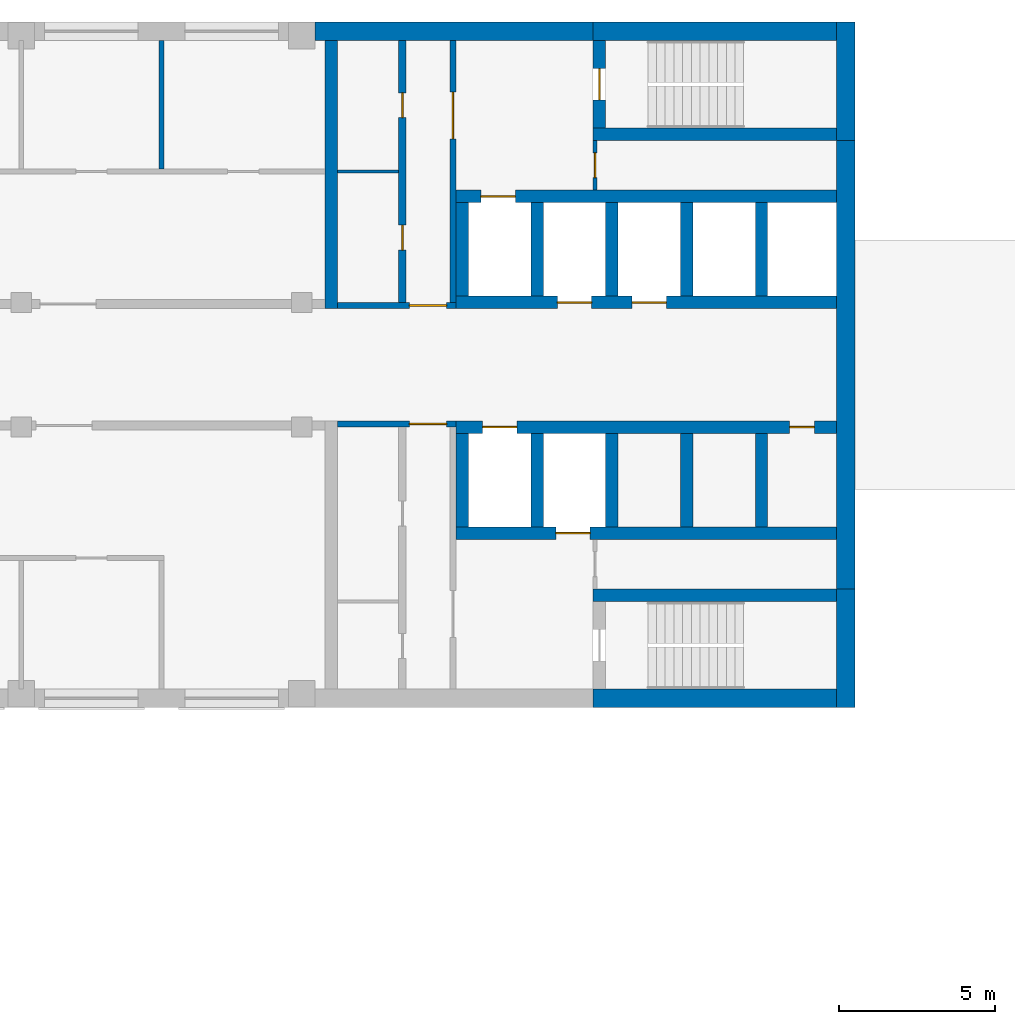
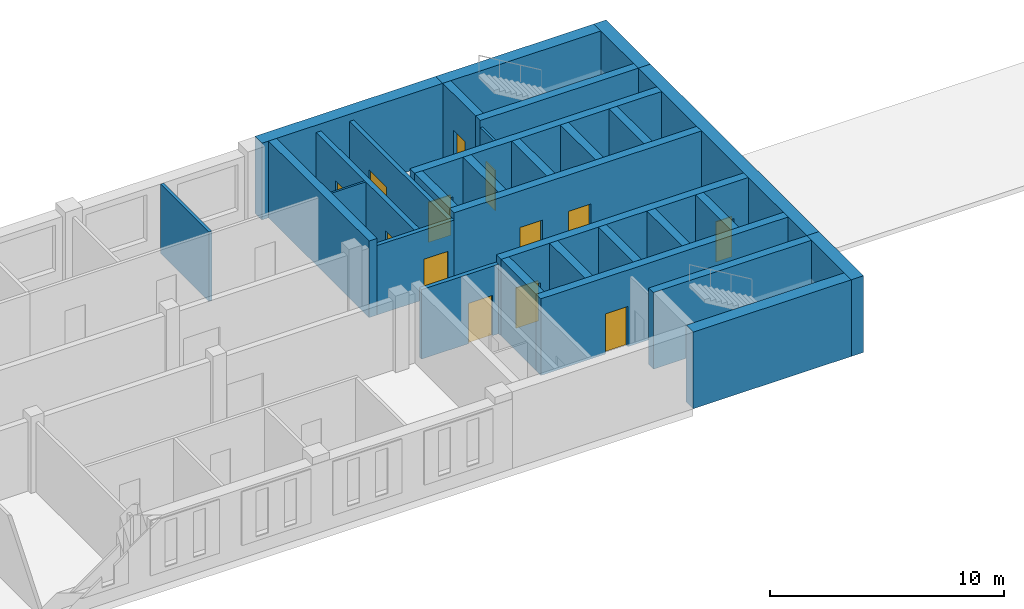
# One storey, part 6 of 8: 31 walls, 13 doors, 13 openings.
"""IFC4 building model written with IfcOpenShell, lengths in metres."""

from ifc_helpers import new_model, si_unit, direction, frame, frame_2d, origin, place, context, subcontext, project, spatial, rectangle, extrude, material, layer, layer_set, type_object, element, fill, save


model = new_model("IFC4")

# Units and contexts
model_context = context("Model", 3, precision=1e-05, world=origin(), true_north=direction((0.0, 1.0)))
body_context = subcontext(model_context, "Body", "Model", "MODEL_VIEW")
ifc_project = project(units=[si_unit("LENGTHUNIT", "METRE"), si_unit("AREAUNIT", "SQUARE_METRE"), si_unit("VOLUMEUNIT", "CUBIC_METRE"), si_unit("PLANEANGLEUNIT", "RADIAN"), si_unit("MASSUNIT", "GRAM", prefix="KILO")], contexts=[model_context])

# Site, building, storey
site_placement = place(None, origin())
site = spatial("IfcSite", under=ifc_project, at=site_placement, CompositionType="ELEMENT")
building_placement = place(site_placement, origin())
building = spatial("IfcBuilding", under=site, at=building_placement, Name="Skarvind Civic Tower", CompositionType="ELEMENT")
storey_placement = place(building_placement, frame((0.0, 0.0, 121.0)))
storey = spatial("IfcBuildingStorey", under=building, at=storey_placement, Name="L28", CompositionType="ELEMENT", Elevation=121.0)

# Wall, opening, door
ifc_material_1 = material(Name="Fire-rated masonry partition", Category="masonry")
ifc_layer_1 = layer(ifc_material_1, 0.199951171875)
ifc_layer_set_1 = layer_set([ifc_layer_1], Name="Core enclosure wall 200")
wall_type_1 = type_object("IfcWallType", Name="Core enclosure wall 200", PredefinedType="PARTITIONING", material=ifc_layer_set_1)
wall_1_placement = place(storey_placement, frame((95.199951171875, 126.10009765625, 0.0), z_axis=(0.0, 0.0, 1.0), x_axis=(-1.0, 0.0, 0.0)))
wall_1 = element("IfcWall", 1, at=wall_1_placement, inside=storey, type_object=wall_type_1, Name="Core wall C1", PredefinedType="PARTITIONING", context=body_context, shape_type="SweptSolid", body=[
    extrude(rectangle(XDim=3.800048828125, YDim=0.199951171875, at=frame_2d((1.89990234375, 0.0))), origin(), (0.0, 0.0, 1.0), 3.625),
])
opening_1_placement = place(wall_1_placement, frame((0.300048828125, 0.0, 0.0)))
opening_1 = element("IfcOpeningElement", 2, at=opening_1_placement, cuts=wall_1, Name="Opening D-L28-C1-05", PredefinedType="OPENING", context=body_context, shape_type="SweptSolid", body=[
    extrude(rectangle(XDim=1.199951171875, YDim=2.10009765625, at=frame_2d((0.60009765625, 1.050048828125))), frame((0.0, 0.10986328125, 0.0), z_axis=(0.0, -1.0, 0.0), x_axis=(1.0, 0.0, 0.0)), (0.0, 0.0, 1.0), 0.219970703125),
])
ifc_material_2 = material(Name="Fire-rated steel door", Category="steel")
door_type_1 = type_object("IfcDoorType", Name="Core lobby door 1200", OperationType="NOTDEFINED", PredefinedType="DOOR", material=ifc_material_2)
door_1_placement = place(opening_1_placement, origin())
door_1 = element("IfcDoor", 3, at=door_1_placement, inside=storey, type_object=door_type_1, Name="Fire door", OperationType="DOUBLE_DOOR_SINGLE_SWING", OverallHeight=2.10009765625, OverallWidth=1.199951171875, PredefinedType="DOOR", context=body_context, shape_type="SweptSolid", body=[
    extrude(rectangle(XDim=1.199951171875, YDim=2.10009765625, at=frame_2d((0.60009765625, 1.050048828125))), frame((0.0, 0.02490234375, 0.0), z_axis=(0.0, -1.0, 0.0), x_axis=(1.0, 0.0, 0.0)), (0.0, 0.0, 1.0), 0.050048828125),
])
fill(opening_1, door_1)

wall_2_placement = place(storey_placement, frame((91.39990234375, 129.89990234375, 0.0), z_axis=(0.0, 0.0, 1.0), x_axis=(1.0, 0.0, 0.0)))
wall_2 = element("IfcWall", 4, at=wall_2_placement, inside=storey, type_object=wall_type_1, Name="Core wall C1", PredefinedType="PARTITIONING", context=body_context, shape_type="SweptSolid", body=[
    extrude(rectangle(XDim=3.800048828125, YDim=0.199951171875, at=frame_2d((1.89990234375, 0.0))), origin(), (0.0, 0.0, 1.0), 3.625),
])
opening_2_placement = place(wall_2_placement, frame((2.300048828125, 0.0, 0.0)))
opening_2 = element("IfcOpeningElement", 5, at=opening_2_placement, cuts=wall_2, Name="Opening D-L28-C1-11", PredefinedType="OPENING", context=body_context, shape_type="SweptSolid", body=[
    extrude(rectangle(XDim=1.199951171875, YDim=2.10009765625, at=frame_2d((0.60009765625, 1.050048828125))), frame((0.0, 0.10986328125, 0.0), z_axis=(0.0, -1.0, 0.0), x_axis=(1.0, 0.0, 0.0)), (0.0, 0.0, 1.0), 0.219970703125),
])
door_2_placement = place(opening_2_placement, origin())
door_2 = element("IfcDoor", 6, at=door_2_placement, inside=storey, type_object=door_type_1, Name="Fire door", OperationType="DOUBLE_DOOR_SINGLE_SWING", OverallHeight=2.10009765625, OverallWidth=1.199951171875, PredefinedType="DOOR", context=body_context, shape_type="SweptSolid", body=[
    extrude(rectangle(XDim=1.199951171875, YDim=2.10009765625, at=frame_2d((0.60009765625, 1.050048828125))), frame((0.0, 0.02490234375, 0.0), z_axis=(0.0, -1.0, 0.0), x_axis=(1.0, 0.0, 0.0)), (0.0, 0.0, 1.0), 0.050048828125),
])
fill(opening_2, door_2)

wall_3_placement = place(storey_placement, frame((95.10009765625, 130.0, 0.0), z_axis=(0.0, 0.0, 1.0), x_axis=(0.0, 1.0, 0.0)))
wall_3 = element("IfcWall", 7, at=wall_3_placement, inside=storey, type_object=wall_type_1, Name="Core wall C1", PredefinedType="PARTITIONING", context=body_context, shape_type="SweptSolid", body=[
    extrude(rectangle(XDim=8.39990234375, YDim=0.199951171875, at=frame_2d((4.199951171875, 0.0))), origin(), (0.0, 0.0, 1.0), 3.625),
])
opening_3_placement = place(wall_3_placement, frame((5.25, 0.0, 0.0)))
opening_3 = element("IfcOpeningElement", 8, at=opening_3_placement, cuts=wall_3, Name="Opening D-L28-C1-12", PredefinedType="OPENING", context=body_context, shape_type="SweptSolid", body=[
    extrude(rectangle(XDim=1.5, YDim=2.10009765625, at=frame_2d((0.75, 1.050048828125))), frame((0.0, 0.10986328125, 0.0), z_axis=(0.0, -1.0, 0.0), x_axis=(1.0, 0.0, 0.0)), (0.0, 0.0, 1.0), 0.219970703125),
])
door_type_2 = type_object("IfcDoorType", Name="Fire door 1500", OperationType="NOTDEFINED", PredefinedType="DOOR", material=ifc_material_2)
door_3_placement = place(opening_3_placement, origin())
door_3 = element("IfcDoor", 9, at=door_3_placement, inside=storey, type_object=door_type_2, Name="Fire door", OperationType="DOUBLE_DOOR_SINGLE_SWING", OverallHeight=2.10009765625, OverallWidth=1.5, PredefinedType="DOOR", context=body_context, shape_type="SweptSolid", body=[
    extrude(rectangle(XDim=1.5, YDim=2.10009765625, at=frame_2d((0.75, 1.050048828125))), frame((0.0, 0.02490234375, 0.0), z_axis=(0.0, -1.0, 0.0), x_axis=(1.0, 0.0, 0.0)), (0.0, 0.0, 1.0), 0.050048828125),
])
fill(opening_3, door_3)

# Walls
ifc_material_3 = material(Name="Fire-rated plasterboard partition")
ifc_layer_2 = layer(ifc_material_3, 0.10009765625)
ifc_layer_set_2 = layer_set([ifc_layer_2], Name="Core partition wall 100")
wall_type_2 = type_object("IfcWallType", Name="Core partition wall 100", PredefinedType="PARTITIONING", material=ifc_layer_set_2)
wall_4_placement = place(storey_placement, frame((91.39990234375, 134.199951171875, 0.0), z_axis=(0.0, 0.0, 1.0), x_axis=(1.0, 0.0, 0.0)))
element("IfcWall", 10, at=wall_4_placement, inside=storey, type_object=wall_type_2, Name="Core wall C1", PredefinedType="PARTITIONING", context=body_context, shape_type="SweptSolid", body=[
    extrude(rectangle(XDim=1.9501953125, YDim=0.10009765625, at=frame_2d((0.97509765625, 0.0))), origin(), (0.0, 0.0, 1.0), 3.625),
])
ifc_material_4 = material(Name="Concrete C80", Category="concrete")
ifc_layer_3 = layer(ifc_material_4, 0.39990234375)
ifc_layer_set_3 = layer_set([ifc_layer_3], Name="Core wall 400 C80")
wall_type_3 = type_object("IfcWallType", Name="Core wall 400 C80", PredefinedType="SHEAR", material=ifc_layer_set_3)
wall_5_placement = place(storey_placement, frame((107.39990234375, 135.39990234375, 0.0), z_axis=(0.0, 0.0, 1.0), x_axis=(-1.0, 0.0, 0.0)))
element("IfcWall", 11, at=wall_5_placement, inside=storey, type_object=wall_type_3, Name="Core wall C1 south stair inner L28", PredefinedType="SHEAR", context=body_context, shape_type="SweptSolid", body=[
    extrude(rectangle(XDim=7.7998046875, YDim=0.39990234375, at=frame_2d((3.89990234375, 0.0))), origin(), (0.0, 0.0, 1.0), 4.0),
])

# Wall, opening, door
wall_6_placement = place(storey_placement, frame((99.800048828125, 138.39990234375, 0.0), z_axis=(0.0, 0.0, 1.0), x_axis=(0.0, -1.0, 0.0)))
wall_6 = element("IfcWall", 12, at=wall_6_placement, inside=storey, type_object=wall_type_3, Name="Core wall C1 south stair end L28", PredefinedType="SHEAR", context=body_context, shape_type="SweptSolid", body=[
    extrude(rectangle(XDim=2.7998046875, YDim=0.39990234375, at=frame_2d((1.39990234375, 0.0))), origin(), (0.0, 0.0, 1.0), 4.0),
])
opening_4_placement = place(wall_6_placement, frame((0.89990234375, 0.0, 0.0)))
opening_4 = element("IfcOpeningElement", 13, at=opening_4_placement, cuts=wall_6, Name="Opening D-L28-C1-13", PredefinedType="OPENING", context=body_context, shape_type="SweptSolid", body=[
    extrude(rectangle(XDim=1.0, YDim=2.10009765625, at=frame_2d((0.5, 1.050048828125))), frame((0.0, 0.2099609375, 0.0), z_axis=(0.0, -1.0, 0.0), x_axis=(1.0, 0.0, 0.0)), (0.0, 0.0, 1.0), 0.419921875),
])
door_type_3 = type_object("IfcDoorType", Name="Fire door 1000", OperationType="NOTDEFINED", PredefinedType="DOOR", material=ifc_material_2)
door_4_placement = place(opening_4_placement, origin())
door_4 = element("IfcDoor", 14, at=door_4_placement, inside=storey, type_object=door_type_3, Name="Fire door", OperationType="SINGLE_SWING_RIGHT", OverallHeight=2.10009765625, OverallWidth=1.0, PredefinedType="DOOR", context=body_context, shape_type="SweptSolid", body=[
    extrude(rectangle(XDim=1.0, YDim=2.10009765625, at=frame_2d((0.5, 1.050048828125))), frame((0.0, 0.02490234375, 0.0), z_axis=(0.0, -1.0, 0.0), x_axis=(1.0, 0.0, 0.0)), (0.0, 0.0, 1.0), 0.050048828125),
])
fill(opening_4, door_4)

# Wall
wall_7_placement = place(storey_placement, frame((107.39990234375, 120.60009765625, 0.0), z_axis=(0.0, 0.0, 1.0), x_axis=(-1.0, 0.0, 0.0)))
element("IfcWall", 15, at=wall_7_placement, inside=storey, type_object=wall_type_3, Name="Core wall C1 north stair inner L28", PredefinedType="SHEAR", context=body_context, shape_type="SweptSolid", body=[
    extrude(rectangle(XDim=7.7998046875, YDim=0.39990234375, at=frame_2d((3.89990234375, 0.0))), origin(), (0.0, 0.0, 1.0), 4.0),
])

# Wall, openings, doors
wall_8_placement = place(storey_placement, frame((107.39990234375, 130.0, 0.0), z_axis=(0.0, 0.0, 1.0), x_axis=(-1.0, 0.0, 0.0)))
wall_8 = element("IfcWall", 16, at=wall_8_placement, inside=storey, type_object=wall_type_3, Name="Core wall C1 south lift row front L28", PredefinedType="SHEAR", context=body_context, shape_type="SweptSolid", body=[
    extrude(rectangle(XDim=12.199951171875, YDim=0.39990234375, at=frame_2d((6.10009765625, 0.0))), origin(), (0.0, 0.0, 1.0), 4.0),
])
opening_5_placement = place(wall_8_placement, frame((5.449951171875, 0.0, 0.0)))
opening_5 = element("IfcOpeningElement", 17, at=opening_5_placement, cuts=wall_8, Name="Opening LD30108", PredefinedType="OPENING", context=body_context, shape_type="SweptSolid", body=[
    extrude(rectangle(XDim=1.10009765625, YDim=2.10009765625, at=frame_2d((0.550048828125, 1.050048828125))), frame((0.0, 0.2099609375, 0.0), z_axis=(0.0, -1.0, 0.0), x_axis=(1.0, 0.0, 0.0)), (0.0, 0.0, 1.0), 0.419921875),
])
opening_6_placement = place(wall_8_placement, frame((7.85009765625, 0.0, 0.0)))
opening_6 = element("IfcOpeningElement", 18, at=opening_6_placement, cuts=wall_8, Name="Opening LD30109", PredefinedType="OPENING", context=body_context, shape_type="SweptSolid", body=[
    extrude(rectangle(XDim=1.10009765625, YDim=2.10009765625, at=frame_2d((0.550048828125, 1.050048828125))), frame((0.0, 0.2099609375, 0.0), z_axis=(0.0, -1.0, 0.0), x_axis=(1.0, 0.0, 0.0)), (0.0, 0.0, 1.0), 0.419921875),
])
ifc_material_5 = material(Name="Stainless steel landing door", Category="steel")
door_type_4 = type_object("IfcDoorType", Name="Lift landing door 1100", OperationType="DOUBLE_DOOR_SLIDING", PredefinedType="DOOR", material=ifc_material_5)
door_5_placement = place(opening_5_placement, origin())
door_5 = element("IfcDoor", 19, at=door_5_placement, inside=storey, type_object=door_type_4, Name="Lift landing door", OperationType="DOUBLE_DOOR_SLIDING", OverallHeight=2.10009765625, OverallWidth=1.10009765625, PredefinedType="DOOR", context=body_context, shape_type="SweptSolid", body=[
    extrude(rectangle(XDim=1.10009765625, YDim=2.10009765625, at=frame_2d((0.550048828125, 1.050048828125))), frame((0.0, 0.02490234375, 0.0), z_axis=(0.0, -1.0, 0.0), x_axis=(1.0, 0.0, 0.0)), (0.0, 0.0, 1.0), 0.050048828125),
])
fill(opening_5, door_5)
door_6_placement = place(opening_6_placement, origin())
door_6 = element("IfcDoor", 20, at=door_6_placement, inside=storey, type_object=door_type_4, Name="Lift landing door", OperationType="DOUBLE_DOOR_SLIDING", OverallHeight=2.10009765625, OverallWidth=1.10009765625, PredefinedType="DOOR", context=body_context, shape_type="SweptSolid", body=[
    extrude(rectangle(XDim=1.10009765625, YDim=2.10009765625, at=frame_2d((0.550048828125, 1.050048828125))), frame((0.0, 0.02490234375, 0.0), z_axis=(0.0, -1.0, 0.0), x_axis=(1.0, 0.0, 0.0)), (0.0, 0.0, 1.0), 0.050048828125),
])
fill(opening_6, door_6)

# Wall, opening, door
wall_9_placement = place(storey_placement, frame((107.39990234375, 133.39990234375, 0.0), z_axis=(0.0, 0.0, 1.0), x_axis=(-1.0, 0.0, 0.0)))
wall_9 = element("IfcWall", 21, at=wall_9_placement, inside=storey, type_object=wall_type_3, Name="Core wall C1 south lift row back L28", PredefinedType="SHEAR", context=body_context, shape_type="SweptSolid", body=[
    extrude(rectangle(XDim=12.199951171875, YDim=0.39990234375, at=frame_2d((6.10009765625, 0.0))), origin(), (0.0, 0.0, 1.0), 4.0),
])
opening_7_placement = place(wall_9_placement, frame((10.300048828125, 0.0, 0.0)))
opening_7 = element("IfcOpeningElement", 22, at=opening_7_placement, cuts=wall_9, Name="Opening LD30110", PredefinedType="OPENING", context=body_context, shape_type="SweptSolid", body=[
    extrude(rectangle(XDim=1.10009765625, YDim=2.10009765625, at=frame_2d((0.550048828125, 1.050048828125))), frame((0.0, 0.2099609375, 0.0), z_axis=(0.0, -1.0, 0.0), x_axis=(1.0, 0.0, 0.0)), (0.0, 0.0, 1.0), 0.419921875),
])
door_7_placement = place(opening_7_placement, origin())
door_7 = element("IfcDoor", 23, at=door_7_placement, inside=storey, type_object=door_type_4, Name="Lift landing door", OperationType="DOUBLE_DOOR_SLIDING", OverallHeight=2.10009765625, OverallWidth=1.10009765625, PredefinedType="DOOR", context=body_context, shape_type="SweptSolid", body=[
    extrude(rectangle(XDim=1.10009765625, YDim=2.10009765625, at=frame_2d((0.550048828125, 1.050048828125))), frame((0.0, 0.02490234375, 0.0), z_axis=(0.0, -1.0, 0.0), x_axis=(1.0, 0.0, 0.0)), (0.0, 0.0, 1.0), 0.050048828125),
])
fill(opening_7, door_7)

# Walls
for number, where, z_axis, x_axis, name in (
    (24, (105.0, 133.199951171875, 0.0), (0.0, 0.0, 1.0), (0.0, -1.0, 0.0), "Core wall C1 south lift row division 1 L28"),
    (25, (102.60009765625, 133.199951171875, 0.0), (0.0, 0.0, 1.0), (0.0, -1.0, 0.0), "Core wall C1 south lift row division 2 L28"),
    (26, (100.199951171875, 133.199951171875, 0.0), (0.0, 0.0, 1.0), (0.0, -1.0, 0.0), "Core wall C1 south lift row division 3 L28"),
    (27, (97.800048828125, 133.199951171875, 0.0), (0.0, 0.0, 1.0), (0.0, -1.0, 0.0), "Core wall C1 south lift row division 4 L28"),
    (28, (95.39990234375, 133.199951171875, 0.0), (0.0, 0.0, 1.0), (0.0, -1.0, 0.0), "Core wall C1 south lift row division 5 L28"),
):
    element("IfcWall", number, at=place(storey_placement, frame(where, z_axis=z_axis, x_axis=x_axis)), inside=storey, type_object=wall_type_3, Name=name, PredefinedType="SHEAR", context=body_context, shape_type="SweptSolid", body=[
        extrude(rectangle(XDim=3.0, YDim=0.39990234375, at=frame_2d((1.5, 0.0))), origin(), (0.0, 0.0, 1.0), 4.0),
    ])

# Wall, openings, doors
wall_10_placement = place(storey_placement, frame((107.39990234375, 126.0, 0.0), z_axis=(0.0, 0.0, 1.0), x_axis=(-1.0, 0.0, 0.0)))
wall_10 = element("IfcWall", 29, at=wall_10_placement, inside=storey, type_object=wall_type_3, Name="Core wall C1 north lift row front L28", PredefinedType="SHEAR", context=body_context, shape_type="SweptSolid", body=[
    extrude(rectangle(XDim=12.199951171875, YDim=0.39990234375, at=frame_2d((6.10009765625, 0.0))), origin(), (0.0, 0.0, 1.0), 4.0),
])
opening_8_placement = place(wall_10_placement, frame((10.25, 0.0, 0.0)))
opening_8 = element("IfcOpeningElement", 30, at=opening_8_placement, cuts=wall_10, Name="Opening LD30105", PredefinedType="OPENING", context=body_context, shape_type="SweptSolid", body=[
    extrude(rectangle(XDim=1.10009765625, YDim=2.10009765625, at=frame_2d((0.550048828125, 1.050048828125))), frame((0.0, 0.2099609375, 0.0), z_axis=(0.0, -1.0, 0.0), x_axis=(1.0, 0.0, 0.0)), (0.0, 0.0, 1.0), 0.419921875),
])
opening_9_placement = place(wall_10_placement, frame((0.699951171875, 0.0, 0.0)))
opening_9 = element("IfcOpeningElement", 31, at=opening_9_placement, cuts=wall_10, Name="Opening D-L28-C1-04", PredefinedType="OPENING", context=body_context, shape_type="SweptSolid", body=[
    extrude(rectangle(XDim=0.800048828125, YDim=2.10009765625, at=frame_2d((0.39990234375, 1.050048828125))), frame((0.0, 0.2099609375, 0.0), z_axis=(0.0, -1.0, 0.0), x_axis=(1.0, 0.0, 0.0)), (0.0, 0.0, 1.0), 0.419921875),
])
door_type_5 = type_object("IfcDoorType", Name="Core riser door 800", OperationType="NOTDEFINED", PredefinedType="DOOR", material=ifc_material_2)
door_8_placement = place(opening_9_placement, origin())
door_8 = element("IfcDoor", 32, at=door_8_placement, inside=storey, type_object=door_type_5, Name="Riser door", OperationType="SINGLE_SWING_LEFT", OverallHeight=2.10009765625, OverallWidth=0.800048828125, PredefinedType="DOOR", context=body_context, shape_type="SweptSolid", body=[
    extrude(rectangle(XDim=0.800048828125, YDim=2.10009765625, at=frame_2d((0.39990234375, 1.050048828125))), frame((0.0, 0.02490234375, 0.0), z_axis=(0.0, -1.0, 0.0), x_axis=(1.0, 0.0, 0.0)), (0.0, 0.0, 1.0), 0.050048828125),
])
fill(opening_9, door_8)
door_9_placement = place(opening_8_placement, origin())
door_9 = element("IfcDoor", 33, at=door_9_placement, inside=storey, type_object=door_type_4, Name="Lift landing door", OperationType="DOUBLE_DOOR_SLIDING", OverallHeight=2.10009765625, OverallWidth=1.10009765625, PredefinedType="DOOR", context=body_context, shape_type="SweptSolid", body=[
    extrude(rectangle(XDim=1.10009765625, YDim=2.10009765625, at=frame_2d((0.550048828125, 1.050048828125))), frame((0.0, 0.02490234375, 0.0), z_axis=(0.0, -1.0, 0.0), x_axis=(1.0, 0.0, 0.0)), (0.0, 0.0, 1.0), 0.050048828125),
])
fill(opening_8, door_9)

# Wall, opening, door
wall_11_placement = place(storey_placement, frame((107.39990234375, 122.60009765625, 0.0), z_axis=(0.0, 0.0, 1.0), x_axis=(-1.0, 0.0, 0.0)))
wall_11 = element("IfcWall", 34, at=wall_11_placement, inside=storey, type_object=wall_type_3, Name="Core wall C1 north lift row back L28", PredefinedType="SHEAR", context=body_context, shape_type="SweptSolid", body=[
    extrude(rectangle(XDim=12.199951171875, YDim=0.39990234375, at=frame_2d((6.10009765625, 0.0))), origin(), (0.0, 0.0, 1.0), 4.0),
])
opening_10_placement = place(wall_11_placement, frame((7.89990234375, 0.0, 0.0)))
opening_10 = element("IfcOpeningElement", 35, at=opening_10_placement, cuts=wall_11, Name="Opening LD30104", PredefinedType="OPENING", context=body_context, shape_type="SweptSolid", body=[
    extrude(rectangle(XDim=1.10009765625, YDim=2.10009765625, at=frame_2d((0.550048828125, 1.050048828125))), frame((0.0, 0.2099609375, 0.0), z_axis=(0.0, -1.0, 0.0), x_axis=(1.0, 0.0, 0.0)), (0.0, 0.0, 1.0), 0.419921875),
])
door_10_placement = place(opening_10_placement, origin())
door_10 = element("IfcDoor", 36, at=door_10_placement, inside=storey, type_object=door_type_4, Name="Lift landing door", OperationType="DOUBLE_DOOR_SLIDING", OverallHeight=2.10009765625, OverallWidth=1.10009765625, PredefinedType="DOOR", context=body_context, shape_type="SweptSolid", body=[
    extrude(rectangle(XDim=1.10009765625, YDim=2.10009765625, at=frame_2d((0.550048828125, 1.050048828125))), frame((0.0, 0.02490234375, 0.0), z_axis=(0.0, -1.0, 0.0), x_axis=(1.0, 0.0, 0.0)), (0.0, 0.0, 1.0), 0.050048828125),
])
fill(opening_10, door_10)

# Walls
for number, where, z_axis, x_axis, name in (
    (37, (105.0, 125.800048828125, 0.0), (0.0, 0.0, 1.0), (0.0, -1.0, 0.0), "Core wall C1 north lift row division 1 L28"),
    (38, (102.60009765625, 125.800048828125, 0.0), (0.0, 0.0, 1.0), (0.0, -1.0, 0.0), "Core wall C1 north lift row division 2 L28"),
    (39, (100.199951171875, 125.800048828125, 0.0), (0.0, 0.0, 1.0), (0.0, -1.0, 0.0), "Core wall C1 north lift row division 3 L28"),
    (40, (97.800048828125, 125.800048828125, 0.0), (0.0, 0.0, 1.0), (0.0, -1.0, 0.0), "Core wall C1 north lift row division 4 L28"),
    (41, (95.39990234375, 125.800048828125, 0.0), (0.0, 0.0, 1.0), (0.0, -1.0, 0.0), "Core wall C1 north lift row division 5 L28"),
):
    element("IfcWall", number, at=place(storey_placement, frame(where, z_axis=z_axis, x_axis=x_axis)), inside=storey, type_object=wall_type_3, Name=name, PredefinedType="SHEAR", context=body_context, shape_type="SweptSolid", body=[
        extrude(rectangle(XDim=3.0, YDim=0.39990234375, at=frame_2d((1.5, 0.0))), origin(), (0.0, 0.0, 1.0), 4.0),
    ])
wall_12_placement = place(storey_placement, frame((91.199951171875, 138.39990234375, 0.0), z_axis=(0.0, 0.0, 1.0), x_axis=(0.0, -1.0, 0.0)))
element("IfcWall", 42, at=wall_12_placement, inside=storey, type_object=wall_type_3, Name="Core wall C1 south inner face L28", PredefinedType="SHEAR", context=body_context, shape_type="SweptSolid", body=[
    extrude(rectangle(XDim=8.599853515625, YDim=0.39990234375, at=frame_2d((4.2998046875, 0.0))), origin(), (0.0, 0.0, 1.0), 4.0),
])
ifc_layer_4 = layer(ifc_material_4, 0.60009765625)
ifc_layer_set_4 = layer_set([ifc_layer_4], Name="Core wall 600 C80")
wall_type_4 = type_object("IfcWallType", Name="Core wall 600 C80", PredefinedType="SHEAR", material=ifc_layer_set_4)
wall_13_placement = place(storey_placement, frame((107.699951171875, 139.0, 0.0), z_axis=(0.0, 0.0, 1.0), x_axis=(0.0, -1.0, 0.0)))
element("IfcWall", 43, at=wall_13_placement, inside=storey, type_object=wall_type_4, Name="Core wall C1 tip at the south stair L28", PredefinedType="SHEAR", context=body_context, shape_type="SweptSolid", body=[
    extrude(rectangle(XDim=3.800048828125, YDim=0.60009765625, at=frame_2d((1.89990234375, 0.0))), origin(), (0.0, 0.0, 1.0), 4.0),
])
wall_14_placement = place(storey_placement, frame((107.699951171875, 135.199951171875, 0.0), z_axis=(0.0, 0.0, 1.0), x_axis=(0.0, -1.0, 0.0)))
element("IfcWall", 44, at=wall_14_placement, inside=storey, type_object=wall_type_4, Name="Core wall C1 tip between the stairs L28", PredefinedType="SHEAR", context=body_context, shape_type="SweptSolid", body=[
    extrude(rectangle(XDim=14.39990234375, YDim=0.60009765625, at=frame_2d((7.199951171875, 0.0))), origin(), (0.0, 0.0, 1.0), 4.0),
])
wall_15_placement = place(storey_placement, frame((107.699951171875, 120.800048828125, 0.0), z_axis=(0.0, 0.0, 1.0), x_axis=(0.0, -1.0, 0.0)))
element("IfcWall", 45, at=wall_15_placement, inside=storey, type_object=wall_type_4, Name="Core wall C1 tip at the north stair L28", PredefinedType="SHEAR", context=body_context, shape_type="SweptSolid", body=[
    extrude(rectangle(XDim=3.800048828125, YDim=0.60009765625, at=frame_2d((1.89990234375, 0.0))), origin(), (0.0, 0.0, 1.0), 4.0),
])
for number, where, z_axis, x_axis, name in (
    (46, (107.39990234375, 138.699951171875, 0.0), (0.0, 0.0, 1.0), (-1.0, 0.0, 0.0), "Core wall C1 south side at the stair L28"),
    (47, (107.39990234375, 117.300048828125, 0.0), (0.0, 0.0, 1.0), (-1.0, 0.0, 0.0), "Core wall C1 north side at the stair L28"),
):
    element("IfcWall", number, at=place(storey_placement, frame(where, z_axis=z_axis, x_axis=x_axis)), inside=storey, type_object=wall_type_4, Name=name, PredefinedType="SHEAR", context=body_context, shape_type="SweptSolid", body=[
        extrude(rectangle(XDim=7.7998046875, YDim=0.60009765625, at=frame_2d((3.89990234375, 0.0))), origin(), (0.0, 0.0, 1.0), 4.0),
    ])
wall_16_placement = place(storey_placement, frame((99.60009765625, 138.699951171875, 0.0), z_axis=(0.0, 0.0, 1.0), x_axis=(-1.0, 0.0, 0.0)))
element("IfcWall", 48, at=wall_16_placement, inside=storey, type_object=wall_type_4, Name="Core wall C1 south side L28", PredefinedType="SHEAR", context=body_context, shape_type="SweptSolid", body=[
    extrude(rectangle(XDim=8.925048828125, YDim=0.60009765625, at=frame_2d((4.46240234375, 0.0))), origin(), (0.0, 0.0, 1.0), 4.0),
])
ifc_material_6 = material(Name="Plasterboard partition on steel studs", Category="steel")
ifc_layer_5 = layer(ifc_material_6, 0.14990234375)
ifc_layer_set_5 = layer_set([ifc_layer_5], Name="PARTITION 150")
wall_type_5 = type_object("IfcWallType", Name="PARTITION 150", PredefinedType="PARTITIONING", material=ifc_layer_set_5)
wall_17_placement = place(storey_placement, frame((85.75, 134.27490234375, 0.0), z_axis=(0.0, 0.0, 1.0), x_axis=(0.0, 1.0, 0.0)))
element("IfcWall", 49, at=wall_17_placement, inside=storey, type_object=wall_type_5, Name="Partition 28.038", PredefinedType="PARTITIONING", context=body_context, shape_type="SweptSolid", body=[
    extrude(rectangle(XDim=4.125, YDim=0.14990234375, at=frame_2d((2.0625, 0.0))), origin(), (0.0, 0.0, 1.0), 3.625),
])

# Wall, opening, door
ifc_layer_6 = layer(ifc_material_1, 0.125)
ifc_layer_set_6 = layer_set([ifc_layer_6], Name="Riser wall 125")
wall_type_6 = type_object("IfcWallType", Name="Riser wall 125", PredefinedType="PARTITIONING", material=ifc_layer_set_6)
wall_18_placement = place(storey_placement, frame((99.66259765625, 133.60009765625, 0.0), z_axis=(0.0, 0.0, 1.0), x_axis=(0.0, 1.0, 0.0)))
wall_18 = element("IfcWall", 50, at=wall_18_placement, inside=storey, type_object=wall_type_6, Name="Core wall C1", PredefinedType="PARTITIONING", context=body_context, shape_type="SweptSolid", body=[
    extrude(rectangle(XDim=1.599853515625, YDim=0.125, at=frame_2d((0.7998046875, 0.0))), origin(), (0.0, 0.0, 1.0), 3.625),
])
opening_11_placement = place(wall_18_placement, frame((0.39990234375, 0.0, 0.0)))
opening_11 = element("IfcOpeningElement", 51, at=opening_11_placement, cuts=wall_18, Name="Opening D-L28-C1-14", PredefinedType="OPENING", context=body_context, shape_type="SweptSolid", body=[
    extrude(rectangle(XDim=0.800048828125, YDim=2.10009765625, at=frame_2d((0.39990234375, 1.050048828125))), frame((0.0, 0.072509765625, 0.0), z_axis=(0.0, -1.0, 0.0), x_axis=(1.0, 0.0, 0.0)), (0.0, 0.0, 1.0), 0.14501953125),
])
door_11_placement = place(opening_11_placement, origin())
door_11 = element("IfcDoor", 52, at=door_11_placement, inside=storey, type_object=door_type_5, Name="Riser door", OperationType="SINGLE_SWING_LEFT", OverallHeight=2.10009765625, OverallWidth=0.800048828125, PredefinedType="DOOR", context=body_context, shape_type="SweptSolid", body=[
    extrude(rectangle(XDim=0.800048828125, YDim=2.10009765625, at=frame_2d((0.39990234375, 1.050048828125))), frame((0.0, 0.02490234375, 0.0), z_axis=(0.0, -1.0, 0.0), x_axis=(1.0, 0.0, 0.0)), (0.0, 0.0, 1.0), 0.050048828125),
])
fill(opening_11, door_11)

# Wall, openings, doors
ifc_layer_7 = layer(ifc_material_1, 0.25)
ifc_layer_set_7 = layer_set([ifc_layer_7], Name="Service block wall 250")
wall_type_7 = type_object("IfcWallType", Name="Service block wall 250", PredefinedType="PARTITIONING", material=ifc_layer_set_7)
wall_19_placement = place(storey_placement, frame((93.47509765625, 130.0, 0.0), z_axis=(0.0, 0.0, 1.0), x_axis=(0.0, 1.0, 0.0)))
wall_19 = element("IfcWall", 53, at=wall_19_placement, inside=storey, type_object=wall_type_7, Name="Core wall C1", PredefinedType="PARTITIONING", context=body_context, shape_type="SweptSolid", body=[
    extrude(rectangle(XDim=8.39990234375, YDim=0.25, at=frame_2d((4.199951171875, 0.0))), origin(), (0.0, 0.0, 1.0), 3.625),
])
opening_12_placement = place(wall_19_placement, frame((1.675048828125, 0.0, 0.0)))
opening_12 = element("IfcOpeningElement", 54, at=opening_12_placement, cuts=wall_19, Name="Opening D-L28-C1-15", PredefinedType="OPENING", context=body_context, shape_type="SweptSolid", body=[
    extrude(rectangle(XDim=0.800048828125, YDim=2.10009765625, at=frame_2d((0.39990234375, 1.050048828125))), frame((0.0, 0.135009765625, 0.0), z_axis=(0.0, -1.0, 0.0), x_axis=(1.0, 0.0, 0.0)), (0.0, 0.0, 1.0), 0.27001953125),
])
opening_13_placement = place(wall_19_placement, frame((5.925048828125, 0.0, 0.0)))
opening_13 = element("IfcOpeningElement", 55, at=opening_13_placement, cuts=wall_19, Name="Opening D-L28-C1-16", PredefinedType="OPENING", context=body_context, shape_type="SweptSolid", body=[
    extrude(rectangle(XDim=0.800048828125, YDim=2.10009765625, at=frame_2d((0.39990234375, 1.050048828125))), frame((0.0, 0.135009765625, 0.0), z_axis=(0.0, -1.0, 0.0), x_axis=(1.0, 0.0, 0.0)), (0.0, 0.0, 1.0), 0.27001953125),
])
door_12_placement = place(opening_12_placement, origin())
door_12 = element("IfcDoor", 56, at=door_12_placement, inside=storey, type_object=door_type_5, Name="Riser door", OperationType="SINGLE_SWING_RIGHT", OverallHeight=2.10009765625, OverallWidth=0.800048828125, PredefinedType="DOOR", context=body_context, shape_type="SweptSolid", body=[
    extrude(rectangle(XDim=0.800048828125, YDim=2.10009765625, at=frame_2d((0.39990234375, 1.050048828125))), frame((0.0, 0.02490234375, 0.0), z_axis=(0.0, -1.0, 0.0), x_axis=(1.0, 0.0, 0.0)), (0.0, 0.0, 1.0), 0.050048828125),
])
fill(opening_12, door_12)
door_13_placement = place(opening_13_placement, origin())
door_13 = element("IfcDoor", 57, at=door_13_placement, inside=storey, type_object=door_type_5, Name="Riser door", OperationType="SINGLE_SWING_LEFT", OverallHeight=2.10009765625, OverallWidth=0.800048828125, PredefinedType="DOOR", context=body_context, shape_type="SweptSolid", body=[
    extrude(rectangle(XDim=0.800048828125, YDim=2.10009765625, at=frame_2d((0.39990234375, 1.050048828125))), frame((0.0, 0.02490234375, 0.0), z_axis=(0.0, -1.0, 0.0), x_axis=(1.0, 0.0, 0.0)), (0.0, 0.0, 1.0), 0.050048828125),
])
fill(opening_13, door_13)

save(model, "model.ifc")
